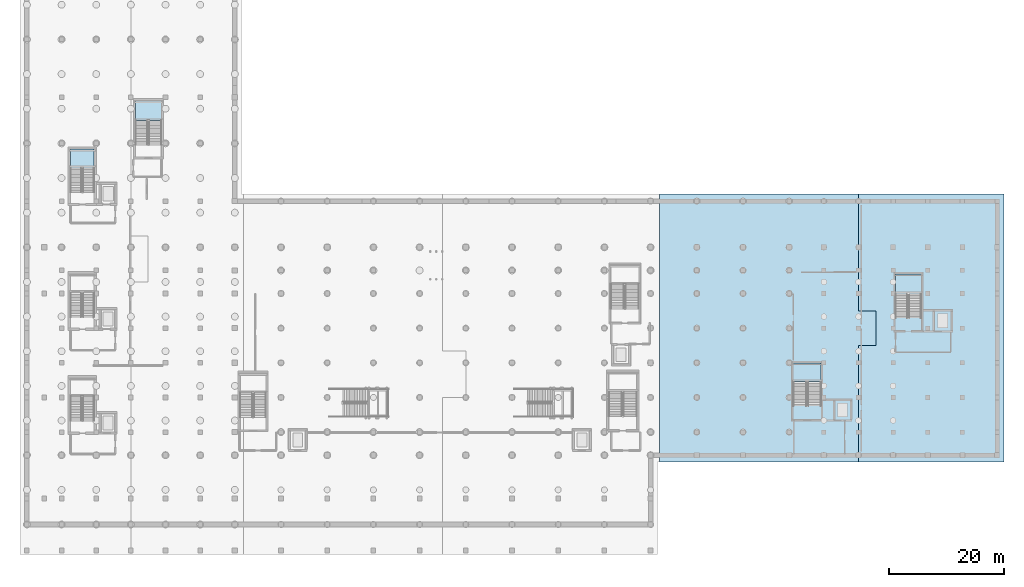
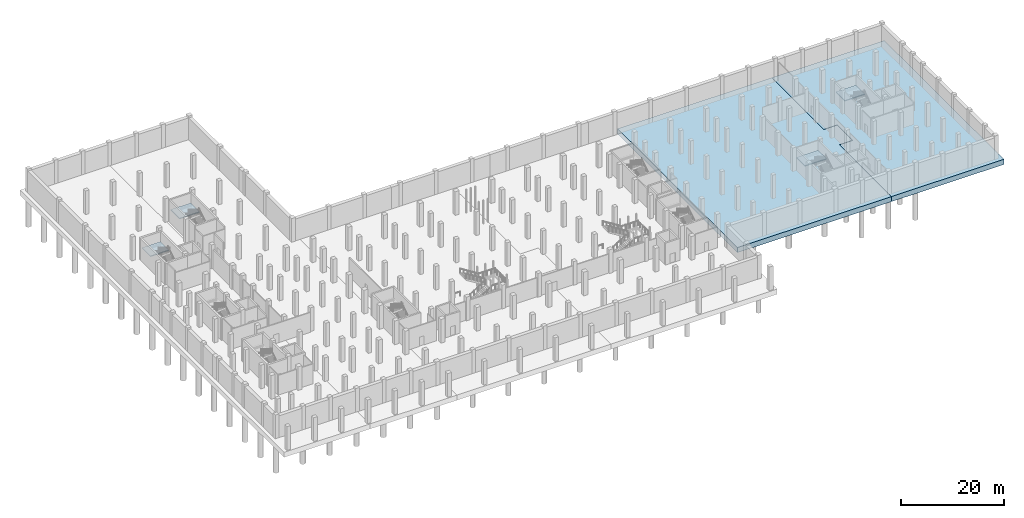
# One storey, part 9 of 26: 6 slabs, 4 elements without a shape of their own.
"""IFC4 building model written with IfcOpenShell, lengths in metres."""

from ifc_helpers import new_model, si_unit, direction, frame, origin, place, context, subcontext, project, spatial, polyline, outline, extrude, material, layer, layer_set, type_object, element, aggregate, save


model = new_model("IFC4")

# Units and contexts
model_context = context("Model", 3, precision=1e-05, world=origin(), true_north=direction((0.0, 1.0)))
body_context = subcontext(model_context, "Body", "Model", "MODEL_VIEW")
ifc_project = project(units=[si_unit("LENGTHUNIT", "METRE"), si_unit("AREAUNIT", "SQUARE_METRE"), si_unit("VOLUMEUNIT", "CUBIC_METRE"), si_unit("PLANEANGLEUNIT", "RADIAN"), si_unit("MASSUNIT", "GRAM", prefix="KILO")], contexts=[model_context])

# Site, building, storey
site_placement = place(None, origin())
site = spatial("IfcSite", under=ifc_project, at=site_placement, CompositionType="ELEMENT")
building_placement = place(site_placement, origin())
building = spatial("IfcBuilding", under=site, at=building_placement, Name="Verrall Gate Interchange", CompositionType="ELEMENT")
storey_placement = place(building_placement, frame((0.0, 0.0, -10.39990234375)))
storey = spatial("IfcBuildingStorey", under=building, at=storey_placement, Name="B2", CompositionType="ELEMENT", Elevation=-10.39990234375)

# Slabs
ifc_material_1 = material(Name="Concrete CSA A23.1 35 MPa (Class S-2)", Category="concrete")
ifc_layer_1 = layer(ifc_material_1, 1.199951171875)
ifc_layer_set_1 = layer_set([ifc_layer_1], Name="Concrete CSA A23.1 35 MPa (Class S-2)")
slab_type_1 = type_object("IfcSlabType", Name="FS-01 Base Slab 1200", PredefinedType="BASESLAB", material=ifc_layer_set_1)
slab_1_placement = place(storey_placement, frame((0.0, 0.0, -1.2001953125)))
element("IfcSlab", 1, at=slab_1_placement, inside=storey, type_object=slab_type_1, Name="B2 Metro Station Piled Raft RAFT-B2-E1", PredefinedType="BASESLAB", context=body_context, shape_type="SweptSolid", body=[
    extrude(outline(polyline([(144.0, 57.199951171875), (144.0, 37.0), (147.0, 37.0), (147.0, 31.0), (144.0, 31.0), (144.0, 10.800048828125), (109.5, 10.800048828125), (109.5, 57.199951171875), (144.0, 57.199951171875)])), origin(), (0.0, 0.0, 1.0), 1.2001953125),
])
slab_2_placement = place(storey_placement, frame((0.0, 0.0, -1.2001953125)))
element("IfcSlab", 2, at=slab_2_placement, inside=storey, type_object=slab_type_1, Name="B2 Metro Station Piled Raft RAFT-B2-E2", PredefinedType="BASESLAB", context=body_context, shape_type="SweptSolid", body=[
    extrude(outline(polyline([(169.199951171875, 57.199951171875), (169.199951171875, 10.800048828125), (144.0, 10.800048828125), (144.0, 31.0), (147.0, 31.0), (147.0, 37.0), (144.0, 37.0), (144.0, 57.199951171875), (169.199951171875, 57.199951171875)])), origin(), (0.0, 0.0, 1.0), 1.2001953125),
])

# Stair, slab
ifc_material_2 = material(Name="Concrete CSA A23.1 40 MPa (Class N)", Category="concrete")
stair_type_1 = type_object("IfcStairType", Name="ST-T01 Straight-Flight Return Exit Stair W1950 H5600", PredefinedType="STRAIGHT_RUN_STAIR", material=ifc_material_2)
stair_1_placement = place(storey_placement, origin())
stair_1 = element("IfcStair", 3, at=stair_1_placement, inside=storey, type_object=stair_type_1, Name="B2 ST-03", PredefinedType="STRAIGHT_RUN_STAIR")
ifc_material_3 = material(Name="Concrete CSA A23.1 40 MPa (Class N)", Category="concrete")
ifc_layer_2 = layer(ifc_material_3, 0.18994140625)
ifc_layer_set_2 = layer_set([ifc_layer_2], Name="Concrete CSA A23.1 40 MPa (Class N)")
slab_type_2 = type_object("IfcSlabType", Name="LS-01 Stair Landing Slab 190", PredefinedType="LANDING", material=ifc_layer_set_2)
slab_3_placement = place(storey_placement, frame((0.0, 0.0, 2.599853515625)))
slab_3 = element("IfcSlab", 4, at=slab_3_placement, type_object=slab_type_2, Name="ST-03 landing 1", PredefinedType="LANDING", context=body_context, shape_type="SweptSolid", body=[
    extrude(outline(polyline([(11.64990234375, 61.75), (11.64990234375, 65.0), (7.550048828125, 65.0), (7.550048828125, 61.75), (11.64990234375, 61.75)])), origin(), (0.0, 0.0, 1.0), 0.199951171875),
])
aggregate(stair_1, [slab_3])

ifc_material_4 = material(Name="Concrete CSA A23.1 40 MPa (Class N)", Category="concrete")
stair_type_2 = type_object("IfcStairType", Name="ST-T07 Straight-Flight Return Exit Stair W2150 H5600", PredefinedType="STRAIGHT_RUN_STAIR", material=ifc_material_4)
stair_2_placement = place(storey_placement, origin())
stair_2 = element("IfcStair", 5, at=stair_2_placement, inside=storey, type_object=stair_type_2, Name="B2 ST-04", PredefinedType="STRAIGHT_RUN_STAIR")
slab_4_placement = place(storey_placement, frame((0.0, 0.0, 2.599853515625)))
slab_4 = element("IfcSlab", 6, at=slab_4_placement, type_object=slab_type_2, Name="ST-04 landing 1", PredefinedType="LANDING", context=body_context, shape_type="SweptSolid", body=[
    extrude(outline(polyline([(23.300048828125, 69.949951171875), (23.300048828125, 73.39990234375), (18.800048828125, 73.39990234375), (18.800048828125, 69.949951171875), (23.300048828125, 69.949951171875)])), origin(), (0.0, 0.0, 1.0), 0.199951171875),
])
aggregate(stair_2, [slab_4])

ifc_material_5 = material(Name="Concrete CSA A23.1 40 MPa (Class N)", Category="concrete")
stair_type_3 = type_object("IfcStairType", Name="ST-T14 Straight-Flight Return Exit Stair W2330 H5600", PredefinedType="STRAIGHT_RUN_STAIR", material=ifc_material_5)
stair_3_placement = place(storey_placement, origin())
stair_3 = element("IfcStair", 7, at=stair_3_placement, inside=storey, type_object=stair_type_3, Name="B2 ST-08", PredefinedType="STRAIGHT_RUN_STAIR")
slab_5_placement = place(storey_placement, frame((0.0, 0.0, 2.599853515625)))
slab_5 = element("IfcSlab", 8, at=slab_5_placement, type_object=slab_type_2, Name="ST-08 landing 1", PredefinedType="LANDING", context=body_context, shape_type="SweptSolid", body=[
    extrude(outline(polyline([(137.5400390625, 24.72998046875), (137.5400390625, 28.0), (132.679931640625, 28.0), (132.679931640625, 24.72998046875), (137.5400390625, 24.72998046875)])), origin(), (0.0, 0.0, 1.0), 0.199951171875),
])
aggregate(stair_3, [slab_5])

stair_4_placement = place(storey_placement, origin())
stair_4 = element("IfcStair", 9, at=stair_4_placement, inside=storey, type_object=stair_type_2, Name="B2 ST-09", PredefinedType="STRAIGHT_RUN_STAIR")
slab_6_placement = place(storey_placement, frame((0.0, 0.0, 2.599853515625)))
slab_6 = element("IfcSlab", 10, at=slab_6_placement, type_object=slab_type_2, Name="ST-09 landing 1", PredefinedType="LANDING", context=body_context, shape_type="SweptSolid", body=[
    extrude(outline(polyline([(154.89990234375, 39.949951171875), (154.89990234375, 43.39990234375), (150.39990234375, 43.39990234375), (150.39990234375, 39.949951171875), (154.89990234375, 39.949951171875)])), origin(), (0.0, 0.0, 1.0), 0.199951171875),
])
aggregate(stair_4, [slab_6])

save(model, "model.ifc")
